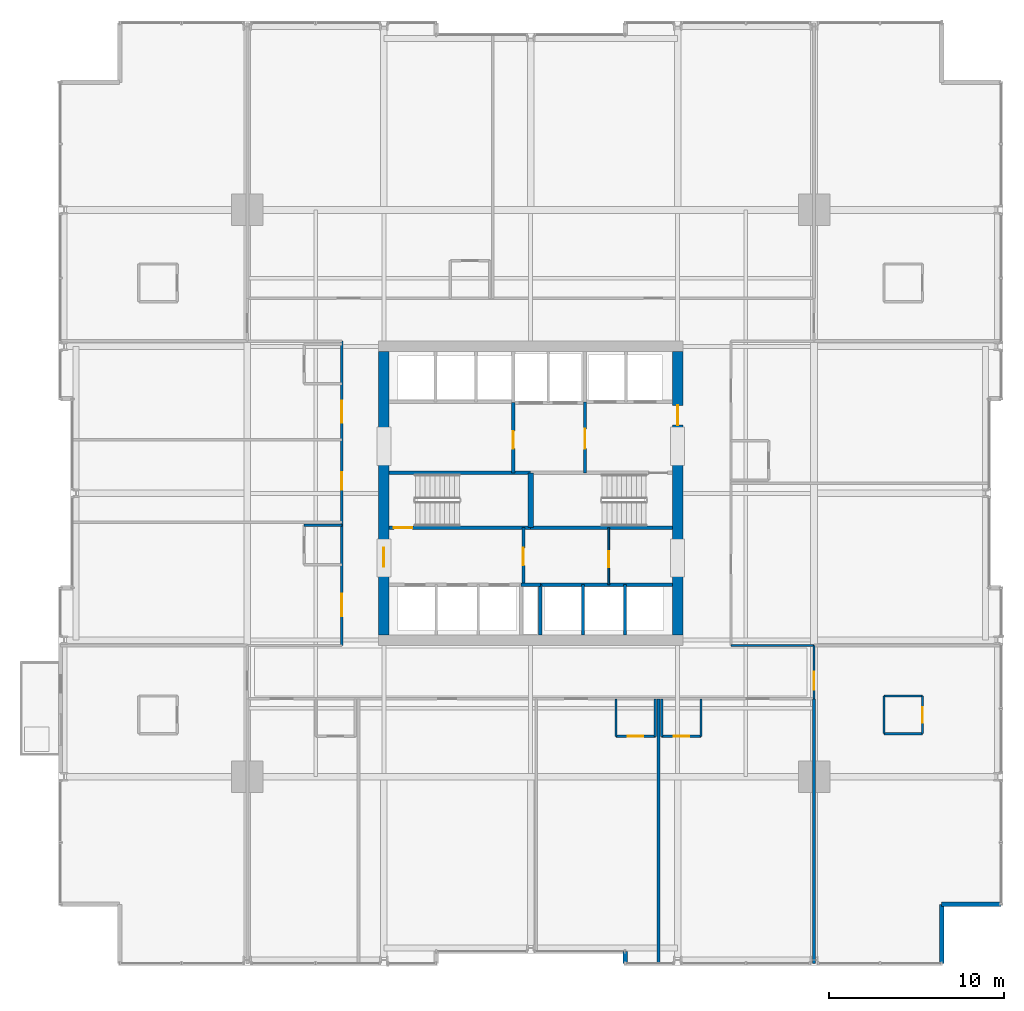
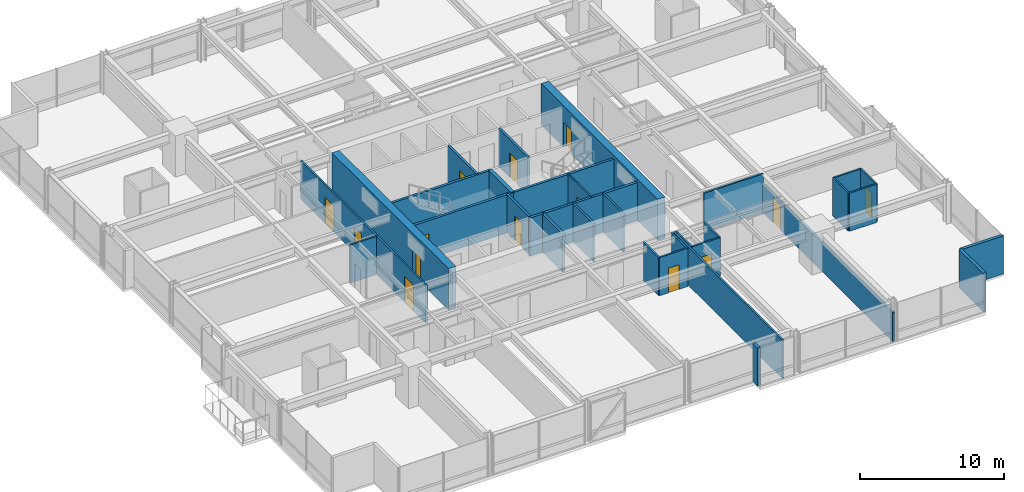
# One storey, part 31 of 37: 34 walls, 14 doors, 14 openings.
"""IFC4 building model written with IfcOpenShell, lengths in metres."""

from ifc_helpers import new_model, si_unit, direction, frame, frame_2d, origin, place, context, subcontext, project, spatial, rectangle, extrude, material, layer, layer_set, type_object, element, fill, save


model = new_model("IFC4")

# Units and contexts
model_context = context("Model", 3, precision=1e-05, world=origin(), true_north=direction((0.0, 1.0)))
body_context = subcontext(model_context, "Body", "Model", "MODEL_VIEW")
ifc_project = project(units=[si_unit("LENGTHUNIT", "METRE"), si_unit("AREAUNIT", "SQUARE_METRE"), si_unit("VOLUMEUNIT", "CUBIC_METRE"), si_unit("PLANEANGLEUNIT", "RADIAN"), si_unit("MASSUNIT", "GRAM", prefix="KILO")], contexts=[model_context])

# Site, building, storey
site_placement = place(None, origin())
site = spatial("IfcSite", under=ifc_project, at=site_placement, CompositionType="ELEMENT")
building_placement = place(site_placement, origin())
building = spatial("IfcBuilding", under=site, at=building_placement, Name="Drelvath Grand Hotel", CompositionType="ELEMENT")
storey_placement = place(building_placement, frame((0.0, 0.0, 75.199951171875)))
storey = spatial("IfcBuildingStorey", under=building, at=storey_placement, Name="L18", CompositionType="ELEMENT", Elevation=75.199951171875)

# Wall, opening, door
ifc_material_1 = material(Name="Gypsum Partition Board")
ifc_layer_1 = layer(ifc_material_1, 0.10009765625)
ifc_layer_set_1 = layer_set([ifc_layer_1], Name="Gypsum Partition Board")
wall_type_1 = type_object("IfcWallType", Name="Core Closet Partition 100", PredefinedType="PARTITIONING", material=ifc_layer_set_1)
wall_1_placement = place(storey_placement, frame((4.4599609375, 21.780029296875, 0.0), z_axis=(0.0, 0.0, 1.0), x_axis=(0.0, 1.0, 0.0)))
wall_1 = element("IfcWall", 1, at=wall_1_placement, inside=storey, type_object=wall_type_1, Name="L18 Housekeeping Split Wall", PredefinedType="PARTITIONING", context=body_context, shape_type="SweptSolid", body=[
    extrude(rectangle(XDim=3.260009765625, YDim=0.10009765625, at=frame_2d((1.6298828125, 0.0))), origin(), (0.0, 0.0, 1.0), 3.239990234375),
])
opening_1_placement = place(wall_1_placement, frame((1.0, 0.0, 0.0)))
opening_1 = element("IfcOpeningElement", 2, at=opening_1_placement, cuts=wall_1, Name="Opening D-T1G5-015", PredefinedType="OPENING", context=body_context, shape_type="SweptSolid", body=[
    extrude(rectangle(XDim=0.919921875, YDim=2.10009765625, at=frame_2d((0.4599609375, 1.050048828125))), frame((0.0, 0.06005859375, 0.0), z_axis=(0.0, -1.0, 0.0), x_axis=(1.0, 0.0, 0.0)), (0.0, 0.0, 1.0), 0.1201171875),
])
ifc_material_2 = material(Name="Painted Steel S275", Category="steel")
door_type_1 = type_object("IfcDoorType", Name="Staff Utility Door 920x2100", OperationType="NOTDEFINED", PredefinedType="DOOR", material=ifc_material_2)
door_1_placement = place(opening_1_placement, origin())
door_1 = element("IfcDoor", 3, at=door_1_placement, inside=storey, type_object=door_type_1, Name="L18 Core Store Door", OperationType="SINGLE_SWING_RIGHT", OverallHeight=2.10009765625, OverallWidth=0.919921875, PredefinedType="DOOR", context=body_context, shape_type="SweptSolid", body=[
    extrude(rectangle(XDim=0.919921875, YDim=2.10009765625, at=frame_2d((0.4599609375, 1.050048828125))), frame((0.0, 0.02490234375, 0.0), z_axis=(0.0, -1.0, 0.0), x_axis=(1.0, 0.0, 0.0)), (0.0, 0.0, 1.0), 0.050048828125),
])
fill(opening_1, door_1)

# Walls
ifc_material_3 = material(Name="Concrete C40/50", Category="concrete")
ifc_layer_2 = layer(ifc_material_3, 0.199951171875)
ifc_layer_set_2 = layer_set([ifc_layer_2], Name="Concrete C40/50")
wall_type_2 = type_object("IfcWallType", Name="Core Hoistway Fire Wall 200", PredefinedType="SOLIDWALL", material=ifc_layer_set_2)
wall_2_placement = place(storey_placement, frame((8.10009765625, 21.780029296875, 0.0), z_axis=(0.0, 0.0, 1.0), x_axis=(-1.0, 0.0, 0.0)))
element("IfcWall", 4, at=wall_2_placement, inside=storey, type_object=wall_type_2, Name="L18 Bank 2 Hoistway Wall", PredefinedType="SOLIDWALL", context=body_context, shape_type="SweptSolid", body=[
    extrude(rectangle(XDim=7.550048828125, YDim=0.199951171875, at=frame_2d((3.77490234375, 0.0))), origin(), (0.0, 0.0, 1.0), 3.239990234375),
])
wall_3_placement = place(storey_placement, frame((0.550048828125, 18.89990234375, 0.0), z_axis=(0.0, 0.0, 1.0), x_axis=(0.0, 1.0, 0.0)))
element("IfcWall", 5, at=wall_3_placement, inside=storey, type_object=wall_type_2, Name="L18 Bank 2 West Wall", PredefinedType="SOLIDWALL", context=body_context, shape_type="SweptSolid", body=[
    extrude(rectangle(XDim=2.880126953125, YDim=0.199951171875, at=frame_2d((1.43994140625, 0.0))), origin(), (0.0, 0.0, 1.0), 3.239990234375),
])
wall_4_placement = place(storey_placement, frame((-0.550048828125, 21.780029296875, 0.0), z_axis=(0.0, 0.0, 1.0), x_axis=(1.0, 0.0, 0.0)))
element("IfcWall", 6, at=wall_4_placement, inside=storey, type_object=wall_type_2, Name="L18 Core Riser Wall", PredefinedType="SOLIDWALL", context=body_context, shape_type="SweptSolid", body=[
    extrude(rectangle(XDim=1.10009765625, YDim=0.199951171875, at=frame_2d((0.550048828125, 0.0))), origin(), (0.0, 0.0, 1.0), 3.239990234375),
])

# Wall, opening, door
ifc_layer_3 = layer(ifc_material_3, 0.199951171875)
ifc_layer_set_3 = layer_set([ifc_layer_3], Name="Concrete C40/50")
wall_type_3 = type_object("IfcWallType", Name="Core Shaft Fire Wall 200", PredefinedType="SOLIDWALL", material=ifc_layer_set_3)
wall_5_placement = place(storey_placement, frame((-8.10009765625, 25.0400390625, 0.0), z_axis=(0.0, 0.0, 1.0), x_axis=(1.0, 0.0, 0.0)))
wall_5 = element("IfcWall", 7, at=wall_5_placement, inside=storey, type_object=wall_type_3, Name="L18 Stair ST-1 South Wall", PredefinedType="SOLIDWALL", context=body_context, shape_type="SweptSolid", body=[
    extrude(rectangle(XDim=8.10009765625, YDim=0.199951171875, at=frame_2d((4.050048828125, 0.0))), origin(), (0.0, 0.0, 1.0), 3.239990234375),
])
opening_2_placement = place(wall_5_placement, frame((0.280029296875, 0.0, 0.0)))
opening_2 = element("IfcOpeningElement", 8, at=opening_2_placement, cuts=wall_5, Name="Opening D-T1G5-001", PredefinedType="OPENING", context=body_context, shape_type="SweptSolid", body=[
    extrude(rectangle(XDim=1.050048828125, YDim=2.10009765625, at=frame_2d((0.52490234375, 1.050048828125))), frame((0.0, 0.10986328125, 0.0), z_axis=(0.0, -1.0, 0.0), x_axis=(1.0, 0.0, 0.0)), (0.0, 0.0, 1.0), 0.219970703125),
])
door_type_2 = type_object("IfcDoorType", Name="Tower Stairwell Fire Door 1050x2100", OperationType="NOTDEFINED", PredefinedType="DOOR", material=ifc_material_2)
door_2_placement = place(opening_2_placement, origin())
door_2 = element("IfcDoor", 9, at=door_2_placement, inside=storey, type_object=door_type_2, Name="L18 Exit Stair ST-1 Door", OperationType="SINGLE_SWING_LEFT", OverallHeight=2.10009765625, OverallWidth=1.050048828125, PredefinedType="DOOR", context=body_context, shape_type="SweptSolid", body=[
    extrude(rectangle(XDim=1.050048828125, YDim=2.10009765625, at=frame_2d((0.52490234375, 1.050048828125))), frame((0.0, 0.02490234375, 0.0), z_axis=(0.0, -1.0, 0.0), x_axis=(1.0, 0.0, 0.0)), (0.0, 0.0, 1.0), 0.050048828125),
])
fill(opening_2, door_2)

# Walls
for number, where, z_axis, x_axis, name in (
    (10, (-8.10009765625, 28.159912109375, 0.0), (0.0, 0.0, 1.0), (1.0, 0.0, 0.0), "L18 Stair ST-1 North Wall"),
    (11, (0.0, 25.0400390625, 0.0), (0.0, 0.0, 1.0), (1.0, 0.0, 0.0), "L18 Stair ST-2 South Wall"),
):
    element("IfcWall", number, at=place(storey_placement, frame(where, z_axis=z_axis, x_axis=x_axis)), inside=storey, type_object=wall_type_3, Name=name, PredefinedType="SOLIDWALL", context=body_context, shape_type="SweptSolid", body=[
        extrude(rectangle(XDim=8.10009765625, YDim=0.199951171875, at=frame_2d((4.050048828125, 0.0))), origin(), (0.0, 0.0, 1.0), 3.239990234375),
    ])
ifc_layer_4 = layer(ifc_material_3, 0.300048828125)
ifc_layer_set_4 = layer_set([ifc_layer_4], Name="Concrete C40/50")
wall_type_4 = type_object("IfcWallType", Name="Core Shaft Fire Wall 300", PredefinedType="SOLIDWALL", material=ifc_layer_set_4)
wall_6_placement = place(storey_placement, frame((0.0, 25.0400390625, 0.0), z_axis=(0.0, 0.0, 1.0), x_axis=(0.0, 1.0, 0.0)))
element("IfcWall", 12, at=wall_6_placement, inside=storey, type_object=wall_type_4, Name="L18 Core Stair Divider Wall", PredefinedType="SOLIDWALL", context=body_context, shape_type="SweptSolid", body=[
    extrude(rectangle(XDim=3.119873046875, YDim=0.300048828125, at=frame_2d((1.56005859375, 0.0))), origin(), (0.0, 0.0, 1.0), 3.239990234375),
])
ifc_material_4 = material(Name="Gypsum Fireboard Partition")
ifc_layer_5 = layer(ifc_material_4, 0.1650390625)
ifc_layer_set_5 = layer_set([ifc_layer_5], Name="Gypsum Fireboard Partition")
wall_type_5 = type_object("IfcWallType", Name="Core Shaft Partition 165", PredefinedType="PARTITIONING", material=ifc_layer_set_5)
for number, where, z_axis, x_axis, name in (
    (13, (3.0, 18.89990234375, 0.0), (0.0, 0.0, 1.0), (0.0, 1.0, 0.0), "L18 Lift PE-4/5 Divider"),
    (14, (5.39990234375, 18.89990234375, 0.0), (0.0, 0.0, 1.0), (0.0, 1.0, 0.0), "L18 Lift PE-5/6 Divider"),
):
    element("IfcWall", number, at=place(storey_placement, frame(where, z_axis=z_axis, x_axis=x_axis)), inside=storey, type_object=wall_type_5, Name=name, PredefinedType="PARTITIONING", context=body_context, shape_type="SweptSolid", body=[
        extrude(rectangle(XDim=2.880126953125, YDim=0.1650390625, at=frame_2d((1.43994140625, 0.0))), origin(), (0.0, 0.0, 1.0), 3.239990234375),
    ])
ifc_layer_6 = layer(ifc_material_4, 0.135009765625)
ifc_layer_set_6 = layer_set([ifc_layer_6], Name="Gypsum Fireboard Partition")
wall_type_6 = type_object("IfcWallType", Name="Corridor Fire Barrier Wall 135", PredefinedType="PARTITIONING", material=ifc_layer_set_6)
wall_7_placement = place(storey_placement, frame((11.449951171875, 18.300048828125, 0.0), z_axis=(0.0, 0.0, 1.0), x_axis=(1.0, 0.0, 0.0)))
element("IfcWall", 15, at=wall_7_placement, inside=storey, type_object=wall_type_6, Name="L18 SE Spur Inner Wall", PredefinedType="PARTITIONING", context=body_context, shape_type="SweptSolid", body=[
    extrude(rectangle(XDim=4.75, YDim=0.135009765625, at=frame_2d((2.375, 0.0))), origin(), (0.0, 0.0, 1.0), 3.239990234375),
])

# Wall, openings, doors
wall_8_placement = place(storey_placement, frame((-10.800048828125, 18.300048828125, 0.0), z_axis=(0.0, 0.0, 1.0), x_axis=(0.0, 1.0, 0.0)))
wall_8 = element("IfcWall", 16, at=wall_8_placement, inside=storey, type_object=wall_type_6, Name="L18 West Corridor Wall", PredefinedType="PARTITIONING", context=body_context, shape_type="SweptSolid", body=[
    extrude(rectangle(XDim=17.39990234375, YDim=0.135009765625, at=frame_2d((8.699951171875, 0.0))), origin(), (0.0, 0.0, 1.0), 3.239990234375),
])
opening_3_placement = place(wall_8_placement, frame((1.681884765625, 0.0, 0.0)))
opening_3 = element("IfcOpeningElement", 17, at=opening_3_placement, cuts=wall_8, Name="Opening D-T1G5-035", PredefinedType="OPENING", context=body_context, shape_type="SweptSolid", body=[
    extrude(rectangle(XDim=1.260009765625, YDim=2.199951171875, at=frame_2d((0.6298828125, 1.10009765625))), frame((0.0, 0.077392578125, 0.0), z_axis=(0.0, -1.0, 0.0), x_axis=(1.0, 0.0, 0.0)), (0.0, 0.0, 1.0), 0.155029296875),
])
opening_4_placement = place(wall_8_placement, frame((8.8955078125, 0.0, 0.0)))
opening_4 = element("IfcOpeningElement", 18, at=opening_4_placement, cuts=wall_8, Name="Opening D-T1G5-036", PredefinedType="OPENING", context=body_context, shape_type="SweptSolid", body=[
    extrude(rectangle(XDim=1.02001953125, YDim=2.14990234375, at=frame_2d((0.510009765625, 1.074951171875))), frame((0.0, 0.077392578125, 0.0), z_axis=(0.0, -1.0, 0.0), x_axis=(1.0, 0.0, 0.0)), (0.0, 0.0, 1.0), 0.155029296875),
])
opening_5_placement = place(wall_8_placement, frame((12.7333984375, 0.0, 0.0)))
opening_5 = element("IfcOpeningElement", 19, at=opening_5_placement, cuts=wall_8, Name="Opening D-T1G5-038", PredefinedType="OPENING", context=body_context, shape_type="SweptSolid", body=[
    extrude(rectangle(XDim=1.260009765625, YDim=2.199951171875, at=frame_2d((0.6298828125, 1.10009765625))), frame((0.0, 0.077392578125, 0.0), z_axis=(0.0, -1.0, 0.0), x_axis=(1.0, 0.0, 0.0)), (0.0, 0.0, 1.0), 0.155029296875),
])
ifc_material_5 = material(Name="Hardwood Walnut Timber", Category="wood")
door_type_3 = type_object("IfcDoorType", Name="Amenity Meeting Fire Door 1020x2150", OperationType="NOTDEFINED", PredefinedType="DOOR", material=ifc_material_5)
door_3_placement = place(opening_4_placement, origin())
door_3 = element("IfcDoor", 20, at=door_3_placement, inside=storey, type_object=door_type_3, Name="L18 Massage Therapy Room Entry Door", OperationType="SINGLE_SWING_LEFT", OverallHeight=2.14990234375, OverallWidth=1.02001953125, PredefinedType="DOOR", context=body_context, shape_type="SweptSolid", body=[
    extrude(rectangle(XDim=1.02001953125, YDim=2.14990234375, at=frame_2d((0.510009765625, 1.074951171875))), frame((0.0, 0.02490234375, 0.0), z_axis=(0.0, -1.0, 0.0), x_axis=(1.0, 0.0, 0.0)), (0.0, 0.0, 1.0), 0.050048828125),
])
fill(opening_4, door_3)
door_type_4 = type_object("IfcDoorType", Name="Suite Entrance Fire Door 1260x2200", OperationType="NOTDEFINED", PredefinedType="DOOR", material=ifc_material_5)
door_4_placement = place(opening_3_placement, origin())
door_4 = element("IfcDoor", 21, at=door_4_placement, inside=storey, type_object=door_type_4, Name="L18 Corner Suite Entry Door", OperationType="SINGLE_SWING_RIGHT", OverallHeight=2.199951171875, OverallWidth=1.260009765625, PredefinedType="DOOR", context=body_context, shape_type="SweptSolid", body=[
    extrude(rectangle(XDim=1.260009765625, YDim=2.199951171875, at=frame_2d((0.6298828125, 1.10009765625))), frame((0.0, 0.02490234375, 0.0), z_axis=(0.0, -1.0, 0.0), x_axis=(1.0, 0.0, 0.0)), (0.0, 0.0, 1.0), 0.050048828125),
])
fill(opening_3, door_4)
door_5_placement = place(opening_5_placement, origin())
door_5 = element("IfcDoor", 22, at=door_5_placement, inside=storey, type_object=door_type_4, Name="L18 Corner Suite Entry Door", OperationType="SINGLE_SWING_LEFT", OverallHeight=2.199951171875, OverallWidth=1.260009765625, PredefinedType="DOOR", context=body_context, shape_type="SweptSolid", body=[
    extrude(rectangle(XDim=1.260009765625, YDim=2.199951171875, at=frame_2d((0.6298828125, 1.10009765625))), frame((0.0, 0.02490234375, 0.0), z_axis=(0.0, -1.0, 0.0), x_axis=(1.0, 0.0, 0.0)), (0.0, 0.0, 1.0), 0.050048828125),
])
fill(opening_5, door_5)

# Wall, opening, door
wall_9_placement = place(storey_placement, frame((16.199951171875, 15.25, 0.0), z_axis=(0.0, 0.0, 1.0), x_axis=(0.0, 1.0, 0.0)))
wall_9 = element("IfcWall", 23, at=wall_9_placement, inside=storey, type_object=wall_type_6, Name="L18 South Corridor East End", PredefinedType="PARTITIONING", context=body_context, shape_type="SweptSolid", body=[
    extrude(rectangle(XDim=3.050048828125, YDim=0.135009765625, at=frame_2d((1.52490234375, 0.0))), origin(), (0.0, 0.0, 1.0), 2.451904296875),
])
opening_6_placement = place(wall_9_placement, frame((0.52001953125, 0.0, 0.0)))
opening_6 = element("IfcOpeningElement", 24, at=opening_6_placement, cuts=wall_9, Name="Opening D-T1G5-019", PredefinedType="OPENING", context=body_context, shape_type="SweptSolid", body=[
    extrude(rectangle(XDim=1.02001953125, YDim=2.14990234375, at=frame_2d((0.510009765625, 1.074951171875))), frame((0.0, 0.077392578125, 0.0), z_axis=(0.0, -1.0, 0.0), x_axis=(1.0, 0.0, 0.0)), (0.0, 0.0, 1.0), 0.155029296875),
])
door_6_placement = place(opening_6_placement, origin())
door_6 = element("IfcDoor", 25, at=door_6_placement, inside=storey, type_object=door_type_3, Name="L18 Corner Suite Entry Door", OperationType="SINGLE_SWING_RIGHT", OverallHeight=2.14990234375, OverallWidth=1.02001953125, PredefinedType="DOOR", context=body_context, shape_type="SweptSolid", body=[
    extrude(rectangle(XDim=1.02001953125, YDim=2.14990234375, at=frame_2d((0.510009765625, 1.074951171875))), frame((0.0, 0.02490234375, 0.0), z_axis=(0.0, -1.0, 0.0), x_axis=(1.0, 0.0, 0.0)), (0.0, 0.0, 1.0), 0.050048828125),
])
fill(opening_6, door_6)

# Walls
ifc_material_6 = material(Name="Moisture-Resistant Gypsum Board")
ifc_layer_7 = layer(ifc_material_6, 0.139892578125)
ifc_layer_set_7 = layer_set([ifc_layer_7], Name="Moisture-Resistant Gypsum Board")
wall_type_7 = type_object("IfcWallType", Name="En-Suite Plumbing Wall 140", PredefinedType="PLUMBINGWALL", material=ifc_layer_set_7)
for number, where, z_axis, x_axis, name in (
    (26, (20.199951171875, 13.260009765625, 0.0), (0.0, 0.0, 1.0), (1.0, 0.0, 0.0), "L18 Corner En-Suite South"),
    (27, (20.199951171875, 15.409912109375, 0.0), (0.0, 0.0, 1.0), (1.0, 0.0, 0.0), "L18 Corner En-Suite North"),
):
    element("IfcWall", number, at=place(storey_placement, frame(where, z_axis=z_axis, x_axis=x_axis)), inside=storey, type_object=wall_type_7, Name=name, PredefinedType="PLUMBINGWALL", context=body_context, shape_type="SweptSolid", body=[
        extrude(rectangle(XDim=2.199951171875, YDim=0.139892578125, at=frame_2d((1.10009765625, 0.0))), origin(), (0.0, 0.0, 1.0), 3.239990234375),
    ])
wall_10_placement = place(storey_placement, frame((20.199951171875, 13.260009765625, 0.0), z_axis=(0.0, 0.0, 1.0), x_axis=(0.0, 1.0, 0.0)))
element("IfcWall", 28, at=wall_10_placement, inside=storey, type_object=wall_type_7, Name="L18 Corner En-Suite West", PredefinedType="PLUMBINGWALL", context=body_context, shape_type="SweptSolid", body=[
    extrude(rectangle(XDim=2.14990234375, YDim=0.139892578125, at=frame_2d((1.074951171875, 0.0))), origin(), (0.0, 0.0, 1.0), 3.239990234375),
])

# Wall, opening, door
wall_11_placement = place(storey_placement, frame((22.39990234375, 13.260009765625, 0.0), z_axis=(0.0, 0.0, 1.0), x_axis=(0.0, 1.0, 0.0)))
wall_11 = element("IfcWall", 29, at=wall_11_placement, inside=storey, type_object=wall_type_7, Name="L18 Corner En-Suite East", PredefinedType="PLUMBINGWALL", context=body_context, shape_type="SweptSolid", body=[
    extrude(rectangle(XDim=2.14990234375, YDim=0.139892578125, at=frame_2d((1.074951171875, 0.0))), origin(), (0.0, 0.0, 1.0), 3.239990234375),
])
opening_7_placement = place(wall_11_placement, frame((0.6201171875, 0.0, 0.0)))
opening_7 = element("IfcOpeningElement", 30, at=opening_7_placement, cuts=wall_11, Name="Opening D-T1G5-018", PredefinedType="OPENING", context=body_context, shape_type="SweptSolid", body=[
    extrude(rectangle(XDim=0.8798828125, YDim=2.10009765625, at=frame_2d((0.43994140625, 1.050048828125))), frame((0.0, 0.079833984375, 0.0), z_axis=(0.0, -1.0, 0.0), x_axis=(1.0, 0.0, 0.0)), (0.0, 0.0, 1.0), 0.159912109375),
])
door_type_5 = type_object("IfcDoorType", Name="En-Suite Bathroom Door 880x2100", OperationType="NOTDEFINED", PredefinedType="DOOR", material=ifc_material_5)
door_7_placement = place(opening_7_placement, origin())
door_7 = element("IfcDoor", 31, at=door_7_placement, inside=storey, type_object=door_type_5, Name="L18 Corner En-Suite Door", OperationType="SINGLE_SWING_LEFT", OverallHeight=2.10009765625, OverallWidth=0.8798828125, PredefinedType="DOOR", context=body_context, shape_type="SweptSolid", body=[
    extrude(rectangle(XDim=0.8798828125, YDim=2.10009765625, at=frame_2d((0.43994140625, 1.050048828125))), frame((0.0, 0.02490234375, 0.0), z_axis=(0.0, -1.0, 0.0), x_axis=(1.0, 0.0, 0.0)), (0.0, 0.0, 1.0), 0.050048828125),
])
fill(opening_7, door_7)

# Walls
for number, where, z_axis, x_axis, name in (
    (32, (4.8759765625, 15.25, 0.0), (0.0, 0.0, 1.0), (0.0, -1.0, 0.0), "L18 En-Suite Left Wall"),
    (33, (7.1259765625, 15.25, 0.0), (0.0, 0.0, 1.0), (0.0, -1.0, 0.0), "L18 En-Suite Right Wall"),
):
    element("IfcWall", number, at=place(storey_placement, frame(where, z_axis=z_axis, x_axis=x_axis)), inside=storey, type_object=wall_type_7, Name=name, PredefinedType="PLUMBINGWALL", context=body_context, shape_type="SweptSolid", body=[
        extrude(rectangle(XDim=2.14990234375, YDim=0.139892578125, at=frame_2d((1.074951171875, 0.0))), origin(), (0.0, 0.0, 1.0), 3.239990234375),
    ])

# Wall, opening, door
wall_12_placement = place(storey_placement, frame((4.8759765625, 13.10009765625, 0.0), z_axis=(0.0, 0.0, 1.0), x_axis=(1.0, 0.0, 0.0)))
wall_12 = element("IfcWall", 34, at=wall_12_placement, inside=storey, type_object=wall_type_7, Name="L18 En-Suite Front Wall", PredefinedType="PLUMBINGWALL", context=body_context, shape_type="SweptSolid", body=[
    extrude(rectangle(XDim=2.25, YDim=0.139892578125, at=frame_2d((1.125, 0.0))), origin(), (0.0, 0.0, 1.0), 3.239990234375),
])
opening_8_placement = place(wall_12_placement, frame((0.68505859375, 0.0, 0.0)))
opening_8 = element("IfcOpeningElement", 35, at=opening_8_placement, cuts=wall_12, Name="Opening D-T1G5-027", PredefinedType="OPENING", context=body_context, shape_type="SweptSolid", body=[
    extrude(rectangle(XDim=0.8798828125, YDim=2.10009765625, at=frame_2d((0.43994140625, 1.050048828125))), frame((0.0, 0.079833984375, 0.0), z_axis=(0.0, -1.0, 0.0), x_axis=(1.0, 0.0, 0.0)), (0.0, 0.0, 1.0), 0.159912109375),
])
door_8_placement = place(opening_8_placement, origin())
door_8 = element("IfcDoor", 36, at=door_8_placement, inside=storey, type_object=door_type_5, Name="L18 En-Suite Bathroom Door", OperationType="SINGLE_SWING_RIGHT", OverallHeight=2.10009765625, OverallWidth=0.8798828125, PredefinedType="DOOR", context=body_context, shape_type="SweptSolid", body=[
    extrude(rectangle(XDim=0.8798828125, YDim=2.10009765625, at=frame_2d((0.43994140625, 1.050048828125))), frame((0.0, 0.02490234375, 0.0), z_axis=(0.0, -1.0, 0.0), x_axis=(1.0, 0.0, 0.0)), (0.0, 0.0, 1.0), 0.050048828125),
])
fill(opening_8, door_8)

# Walls
for number, where, z_axis, x_axis, name in (
    (37, (7.48583984375, 15.25, 0.0), (0.0, 0.0, 1.0), (0.0, -1.0, 0.0), "L18 En-Suite Left Wall"),
    (38, (9.73583984375, 15.25, 0.0), (0.0, 0.0, 1.0), (0.0, -1.0, 0.0), "L18 En-Suite Right Wall"),
):
    element("IfcWall", number, at=place(storey_placement, frame(where, z_axis=z_axis, x_axis=x_axis)), inside=storey, type_object=wall_type_7, Name=name, PredefinedType="PLUMBINGWALL", context=body_context, shape_type="SweptSolid", body=[
        extrude(rectangle(XDim=2.14990234375, YDim=0.139892578125, at=frame_2d((1.074951171875, 0.0))), origin(), (0.0, 0.0, 1.0), 3.239990234375),
    ])

# Wall, opening, door
wall_13_placement = place(storey_placement, frame((7.48583984375, 13.10009765625, 0.0), z_axis=(0.0, 0.0, 1.0), x_axis=(1.0, 0.0, 0.0)))
wall_13 = element("IfcWall", 39, at=wall_13_placement, inside=storey, type_object=wall_type_7, Name="L18 En-Suite Front Wall", PredefinedType="PLUMBINGWALL", context=body_context, shape_type="SweptSolid", body=[
    extrude(rectangle(XDim=2.25, YDim=0.139892578125, at=frame_2d((1.125, 0.0))), origin(), (0.0, 0.0, 1.0), 3.239990234375),
])
opening_9_placement = place(wall_13_placement, frame((0.68505859375, 0.0, 0.0)))
opening_9 = element("IfcOpeningElement", 40, at=opening_9_placement, cuts=wall_13, Name="Opening D-T1G5-029", PredefinedType="OPENING", context=body_context, shape_type="SweptSolid", body=[
    extrude(rectangle(XDim=0.8798828125, YDim=2.10009765625, at=frame_2d((0.43994140625, 1.050048828125))), frame((0.0, 0.079833984375, 0.0), z_axis=(0.0, -1.0, 0.0), x_axis=(1.0, 0.0, 0.0)), (0.0, 0.0, 1.0), 0.159912109375),
])
door_9_placement = place(opening_9_placement, origin())
door_9 = element("IfcDoor", 41, at=door_9_placement, inside=storey, type_object=door_type_5, Name="L18 En-Suite Bathroom Door", OperationType="SINGLE_SWING_RIGHT", OverallHeight=2.10009765625, OverallWidth=0.8798828125, PredefinedType="DOOR", context=body_context, shape_type="SweptSolid", body=[
    extrude(rectangle(XDim=0.8798828125, YDim=2.10009765625, at=frame_2d((0.43994140625, 1.050048828125))), frame((0.0, 0.02490234375, 0.0), z_axis=(0.0, -1.0, 0.0), x_axis=(1.0, 0.0, 0.0)), (0.0, 0.0, 1.0), 0.050048828125),
])
fill(opening_9, door_9)

# Wall
wall_14_placement = place(storey_placement, frame((-10.800048828125, 25.174072265625, 0.0), z_axis=(0.0, 0.0, 1.0), x_axis=(-1.0, 0.0, 0.0)))
element("IfcWall", 42, at=wall_14_placement, inside=storey, type_object=wall_type_7, Name="L18 En-Suite Right Wall", PredefinedType="PLUMBINGWALL", context=body_context, shape_type="SweptSolid", body=[
    extrude(rectangle(XDim=2.14990234375, YDim=0.139892578125, at=frame_2d((1.074951171875, 0.0))), origin(), (0.0, 0.0, 1.0), 3.239990234375),
])

# Wall, opening, door
ifc_layer_8 = layer(ifc_material_4, 0.179931640625)
ifc_layer_set_8 = layer_set([ifc_layer_8], Name="Gypsum Fireboard Partition")
wall_type_8 = type_object("IfcWallType", Name="FSAE Smoke Lobby Fire Wall 180", PredefinedType="SOLIDWALL", material=ifc_layer_set_8)
wall_15_placement = place(storey_placement, frame((3.10009765625, 28.159912109375, 0.0), z_axis=(0.0, 0.0, 1.0), x_axis=(0.0, 1.0, 0.0)))
wall_15 = element("IfcWall", 43, at=wall_15_placement, inside=storey, type_object=wall_type_8, Name="L18 FSAE Smoke Lobby West Wall", PredefinedType="SOLIDWALL", context=body_context, shape_type="SweptSolid", body=[
    extrude(rectangle(XDim=4.06005859375, YDim=0.179931640625, at=frame_2d((2.030029296875, 0.0))), origin(), (0.0, 0.0, 1.0), 3.239990234375),
])
opening_10_placement = place(wall_15_placement, frame((1.39990234375, 0.0, 0.0)))
opening_10 = element("IfcOpeningElement", 44, at=opening_10_placement, cuts=wall_15, Name="Opening D-T1G5-005", PredefinedType="OPENING", context=body_context, shape_type="SweptSolid", body=[
    extrude(rectangle(XDim=1.1201171875, YDim=2.10009765625, at=frame_2d((0.56005859375, 1.050048828125))), frame((0.0, 0.099853515625, 0.0), z_axis=(0.0, -1.0, 0.0), x_axis=(1.0, 0.0, 0.0)), (0.0, 0.0, 1.0), 0.199951171875),
])
door_type_6 = type_object("IfcDoorType", Name="FSAE Smoke Lobby Fire Door 1120x2100", OperationType="NOTDEFINED", PredefinedType="DOOR", material=ifc_material_2)
door_10_placement = place(opening_10_placement, origin())
door_10 = element("IfcDoor", 45, at=door_10_placement, inside=storey, type_object=door_type_6, Name="L18 FSAE Lobby Service Vestibule Door", OperationType="SINGLE_SWING_RIGHT", OverallHeight=2.10009765625, OverallWidth=1.1201171875, PredefinedType="DOOR", context=body_context, shape_type="SweptSolid", body=[
    extrude(rectangle(XDim=1.1201171875, YDim=2.10009765625, at=frame_2d((0.56005859375, 1.050048828125))), frame((0.0, 0.02490234375, 0.0), z_axis=(0.0, -1.0, 0.0), x_axis=(1.0, 0.0, 0.0)), (0.0, 0.0, 1.0), 0.050048828125),
])
fill(opening_10, door_10)

wall_16_placement = place(storey_placement, frame((-1.0, 28.159912109375, 0.0), z_axis=(0.0, 0.0, 1.0), x_axis=(0.0, 1.0, 0.0)))
wall_16 = element("IfcWall", 46, at=wall_16_placement, inside=storey, type_object=wall_type_8, Name="L18 Service Vestibule West Wall", PredefinedType="SOLIDWALL", context=body_context, shape_type="SweptSolid", body=[
    extrude(rectangle(XDim=4.02001953125, YDim=0.179931640625, at=frame_2d((2.010009765625, 0.0))), origin(), (0.0, 0.0, 1.0), 3.239990234375),
])
opening_11_placement = place(wall_16_placement, frame((1.39990234375, 0.0, 0.0)))
opening_11 = element("IfcOpeningElement", 47, at=opening_11_placement, cuts=wall_16, Name="Opening D-T1G5-009", PredefinedType="OPENING", context=body_context, shape_type="SweptSolid", body=[
    extrude(rectangle(XDim=1.0, YDim=2.10009765625, at=frame_2d((0.5, 1.050048828125))), frame((0.0, 0.099853515625, 0.0), z_axis=(0.0, -1.0, 0.0), x_axis=(1.0, 0.0, 0.0)), (0.0, 0.0, 1.0), 0.199951171875),
])
door_type_7 = type_object("IfcDoorType", Name="Core Service Fire Door 1000x2100", OperationType="NOTDEFINED", PredefinedType="DOOR", material=ifc_material_2)
door_11_placement = place(opening_11_placement, origin())
door_11 = element("IfcDoor", 48, at=door_11_placement, inside=storey, type_object=door_type_7, Name="L18 Service Vestibule West Door", OperationType="SINGLE_SWING_LEFT", OverallHeight=2.10009765625, OverallWidth=1.0, PredefinedType="DOOR", context=body_context, shape_type="SweptSolid", body=[
    extrude(rectangle(XDim=1.0, YDim=2.10009765625, at=frame_2d((0.5, 1.050048828125))), frame((0.0, 0.02490234375, 0.0), z_axis=(0.0, -1.0, 0.0), x_axis=(1.0, 0.0, 0.0)), (0.0, 0.0, 1.0), 0.050048828125),
])
fill(opening_11, door_11)

wall_17_placement = place(storey_placement, frame((-0.419921875, 21.780029296875, 0.0), z_axis=(0.0, 0.0, 1.0), x_axis=(0.0, 1.0, 0.0)))
wall_17 = element("IfcWall", 49, at=wall_17_placement, inside=storey, type_object=wall_type_8, Name="L18 Low-Rise Lobby East Wall", PredefinedType="SOLIDWALL", context=body_context, shape_type="SweptSolid", body=[
    extrude(rectangle(XDim=3.260009765625, YDim=0.179931640625, at=frame_2d((1.6298828125, 0.0))), origin(), (0.0, 0.0, 1.0), 3.239990234375),
])
opening_12_placement = place(wall_17_placement, frame((1.10009765625, 0.0, 0.0)))
opening_12 = element("IfcOpeningElement", 50, at=opening_12_placement, cuts=wall_17, Name="Opening D-T1G5-013", PredefinedType="OPENING", context=body_context, shape_type="SweptSolid", body=[
    extrude(rectangle(XDim=1.0, YDim=2.10009765625, at=frame_2d((0.5, 1.050048828125))), frame((0.0, 0.099853515625, 0.0), z_axis=(0.0, -1.0, 0.0), x_axis=(1.0, 0.0, 0.0)), (0.0, 0.0, 1.0), 0.199951171875),
])
door_12_placement = place(opening_12_placement, origin())
door_12 = element("IfcDoor", 51, at=door_12_placement, inside=storey, type_object=door_type_7, Name="L18 Housekeeping Entry Door", OperationType="SINGLE_SWING_RIGHT", OverallHeight=2.10009765625, OverallWidth=1.0, PredefinedType="DOOR", context=body_context, shape_type="SweptSolid", body=[
    extrude(rectangle(XDim=1.0, YDim=2.10009765625, at=frame_2d((0.5, 1.050048828125))), frame((0.0, 0.02490234375, 0.0), z_axis=(0.0, -1.0, 0.0), x_axis=(1.0, 0.0, 0.0)), (0.0, 0.0, 1.0), 0.050048828125),
])
fill(opening_12, door_12)

# Wall
ifc_material_7 = material(Name="Gypsum Acoustic Partition")
ifc_layer_9 = layer(ifc_material_7, 0.14990234375)
ifc_layer_set_9 = layer_set([ifc_layer_9], Name="Gypsum Acoustic Partition")
wall_type_9 = type_object("IfcWallType", Name="Guestroom Demising Wall 150", PredefinedType="PARTITIONING", material=ifc_layer_set_9)
wall_18_placement = place(storey_placement, frame((7.305908203125, 0.1201171875, 0.0), z_axis=(0.0, 0.0, 1.0), x_axis=(0.0, 1.0, 0.0)))
element("IfcWall", 52, at=wall_18_placement, inside=storey, type_object=wall_type_9, Name="L18 South Demising 3", PredefinedType="PARTITIONING", context=body_context, shape_type="SweptSolid", body=[
    extrude(rectangle(XDim=15.1298828125, YDim=0.14990234375, at=frame_2d((7.56494140625, 0.0))), origin(), (0.0, 0.0, 1.0), 3.239990234375),
])

# Wall, opening, door
ifc_material_8 = material(Name="Concrete f'c 70 MPa", Category="concrete")
ifc_layer_10 = layer(ifc_material_8, 0.60009765625)
ifc_layer_set_10 = layer_set([ifc_layer_10], Name="Concrete f'c 70 MPa")
wall_type_10 = type_object("IfcWallType", Name="Lower Core RC Shear Wall 600", PredefinedType="SHEAR", material=ifc_layer_set_10)
wall_19_placement = place(storey_placement, frame((8.39990234375, 35.10009765625, 0.0), z_axis=(0.0, 0.0, 1.0), x_axis=(0.0, -1.0, 0.0)))
wall_19 = element("IfcWall", 53, at=wall_19_placement, inside=storey, type_object=wall_type_10, Name="L18 Central Core Shear Wall E", PredefinedType="SHEAR", context=body_context, shape_type="SweptSolid", body=[
    extrude(rectangle(XDim=16.2001953125, YDim=0.60009765625, at=frame_2d((8.10009765625, 0.0))), origin(), (0.0, 0.0, 1.0), 3.5),
])
opening_13_placement = place(wall_19_placement, frame((3.080078125, 0.0, 0.0)))
opening_13 = element("IfcOpeningElement", 54, at=opening_13_placement, cuts=wall_19, Name="Opening D-T1G5-006", PredefinedType="OPENING", context=body_context, shape_type="SweptSolid", body=[
    extrude(rectangle(XDim=1.1201171875, YDim=2.10009765625, at=frame_2d((0.56005859375, 1.050048828125))), frame((0.0, 0.31005859375, 0.0), z_axis=(0.0, -1.0, 0.0), x_axis=(1.0, 0.0, 0.0)), (0.0, 0.0, 1.0), 0.6201171875),
])
door_13_placement = place(opening_13_placement, origin())
door_13 = element("IfcDoor", 55, at=door_13_placement, inside=storey, type_object=door_type_6, Name="L18 FSAE Lobby East Corridor Door", OperationType="SINGLE_SWING_LEFT", OverallHeight=2.10009765625, OverallWidth=1.1201171875, PredefinedType="DOOR", context=body_context, shape_type="SweptSolid", body=[
    extrude(rectangle(XDim=1.1201171875, YDim=2.10009765625, at=frame_2d((0.56005859375, 1.050048828125))), frame((0.0, 0.02490234375, 0.0), z_axis=(0.0, -1.0, 0.0), x_axis=(1.0, 0.0, 0.0)), (0.0, 0.0, 1.0), 0.050048828125),
])
fill(opening_13, door_13)

wall_20_placement = place(storey_placement, frame((-8.39990234375, 18.89990234375, 0.0), z_axis=(0.0, 0.0, 1.0), x_axis=(0.0, 1.0, 0.0)))
wall_20 = element("IfcWall", 56, at=wall_20_placement, inside=storey, type_object=wall_type_10, Name="L18 Central Core Shear Wall W", PredefinedType="SHEAR", context=body_context, shape_type="SweptSolid", body=[
    extrude(rectangle(XDim=16.2001953125, YDim=0.60009765625, at=frame_2d((8.10009765625, 0.0))), origin(), (0.0, 0.0, 1.0), 3.5),
])
opening_14_placement = place(wall_20_placement, frame((3.89990234375, 0.0, 0.0)))
opening_14 = element("IfcOpeningElement", 57, at=opening_14_placement, cuts=wall_20, Name="Opening D-T1G5-014", PredefinedType="OPENING", context=body_context, shape_type="SweptSolid", body=[
    extrude(rectangle(XDim=1.080078125, YDim=2.0400390625, at=frame_2d((0.5400390625, 1.02001953125))), frame((0.0, 0.31005859375, 0.0), z_axis=(0.0, -1.0, 0.0), x_axis=(1.0, 0.0, 0.0)), (0.0, 0.0, 1.0), 0.6201171875),
])
door_type_8 = type_object("IfcDoorType", Name="Core Corridor Fire Door 1080x2100", OperationType="NOTDEFINED", PredefinedType="DOOR", material=ifc_material_2)
door_14_placement = place(opening_14_placement, origin())
door_14 = element("IfcDoor", 58, at=door_14_placement, inside=storey, type_object=door_type_8, Name="L18 Low-Rise Lobby West Door", OperationType="SINGLE_SWING_LEFT", OverallHeight=2.0400390625, OverallWidth=1.080078125, PredefinedType="DOOR", context=body_context, shape_type="SweptSolid", body=[
    extrude(rectangle(XDim=1.080078125, YDim=2.0400390625, at=frame_2d((0.5400390625, 1.02001953125))), frame((0.0, 0.02490234375, 0.0), z_axis=(0.0, -1.0, 0.0), x_axis=(1.0, 0.0, 0.0)), (0.0, 0.0, 1.0), 0.050048828125),
])
fill(opening_14, door_14)

# Walls
ifc_layer_11 = layer(ifc_material_7, 0.1650390625)
ifc_layer_set_11 = layer_set([ifc_layer_11], Name="Gypsum Acoustic Partition")
wall_type_11 = type_object("IfcWallType", Name="Suite Demising Wall 165", PredefinedType="PARTITIONING", material=ifc_layer_set_11)
wall_21_placement = place(storey_placement, frame((16.199951171875, 0.1201171875, 0.0), z_axis=(0.0, 0.0, 1.0), x_axis=(0.0, 1.0, 0.0)))
element("IfcWall", 59, at=wall_21_placement, inside=storey, type_object=wall_type_11, Name="L18 SE Wing Boundary Wall", PredefinedType="PARTITIONING", context=body_context, shape_type="SweptSolid", body=[
    extrude(rectangle(XDim=15.1298828125, YDim=0.1650390625, at=frame_2d((7.56494140625, 0.0))), origin(), (0.0, 0.0, 1.0), 2.451904296875),
])
ifc_material_9 = material(Name="Pale-Metal Insulated Aluminium Spandrel Assembly", Category="aluminium")
ifc_layer_12 = layer(ifc_material_9, 0.239990234375)
ifc_layer_set_12 = layer_set([ifc_layer_12], Name="Pale-Metal Insulated Aluminium Spandrel Assembly")
wall_type_12 = type_object("IfcWallType", Name="Tower Insulated Metal Spandrel Closure Wall 240", PredefinedType="STANDARD", material=ifc_layer_set_12)
for number, where, z_axis, x_axis, name in (
    (60, (26.8798828125, 3.5, 0.0), (0.0, 0.0, 1.0), (-1.0, 0.0, 0.0), "L18 Notched Corner Return Spandrel Wall CSE1"),
    (61, (23.5, 3.5, 0.0), (0.0, 0.0, 1.0), (0.0, -1.0, 0.0), "L18 Notched Corner Return Spandrel Wall CSE2"),
):
    element("IfcWall", number, at=place(storey_placement, frame(where, z_axis=z_axis, x_axis=x_axis)), inside=storey, type_object=wall_type_12, Name=name, PredefinedType="STANDARD", context=body_context, shape_type="SweptSolid", body=[
        extrude(rectangle(XDim=3.3798828125, YDim=0.239990234375, at=frame_2d((1.68994140625, 0.0))), origin(), (0.0, 0.0, 1.0), 3.239990234375),
    ])
wall_22_placement = place(storey_placement, frame((5.39990234375, 0.1201171875, 0.0), z_axis=(0.0, 0.0, 1.0), x_axis=(0.0, 1.0, 0.0)))
element("IfcWall", 62, at=wall_22_placement, inside=storey, type_object=wall_type_12, Name="L18 Notched Corner Return Spandrel Wall RS1", PredefinedType="STANDARD", context=body_context, shape_type="SweptSolid", body=[
    extrude(rectangle(XDim=0.679931640625, YDim=0.239990234375, at=frame_2d((0.33984375, 0.0))), origin(), (0.0, 0.0, 1.0), 3.239990234375),
])

save(model, "model.ifc")
